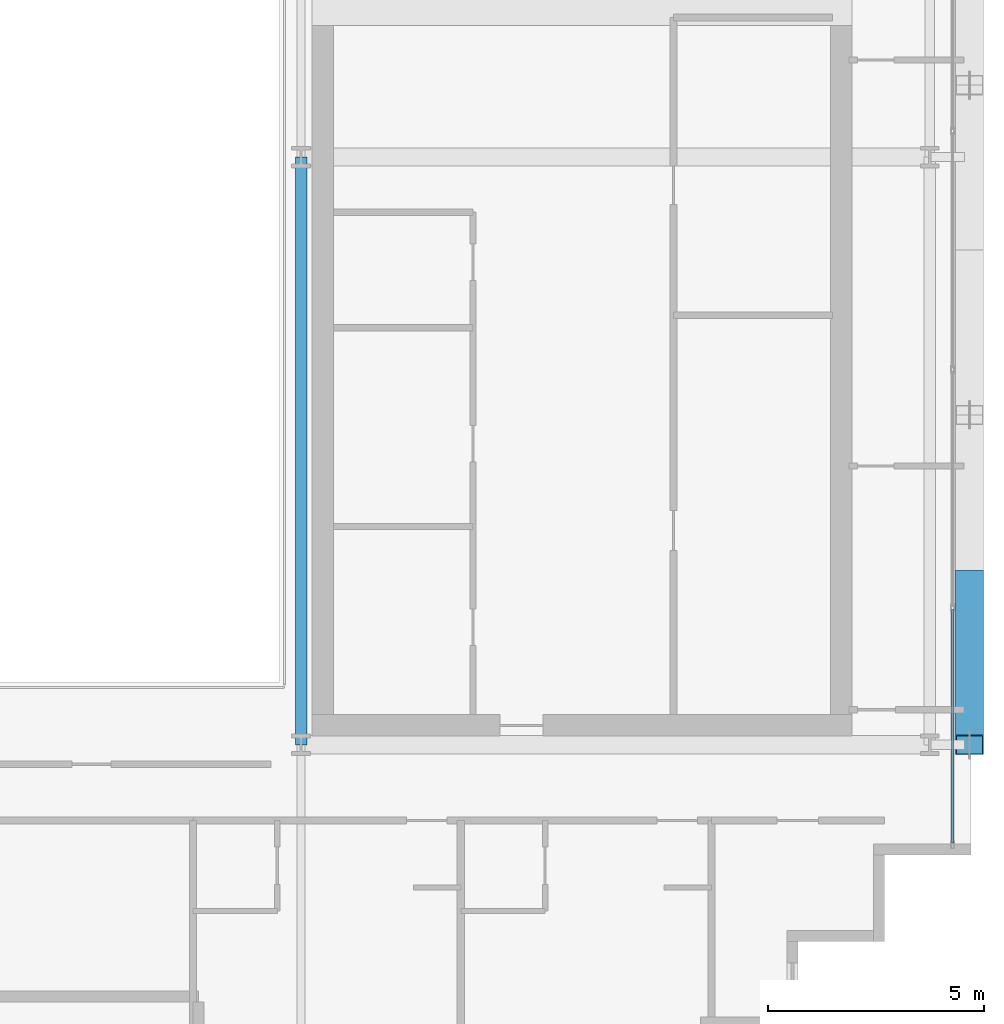
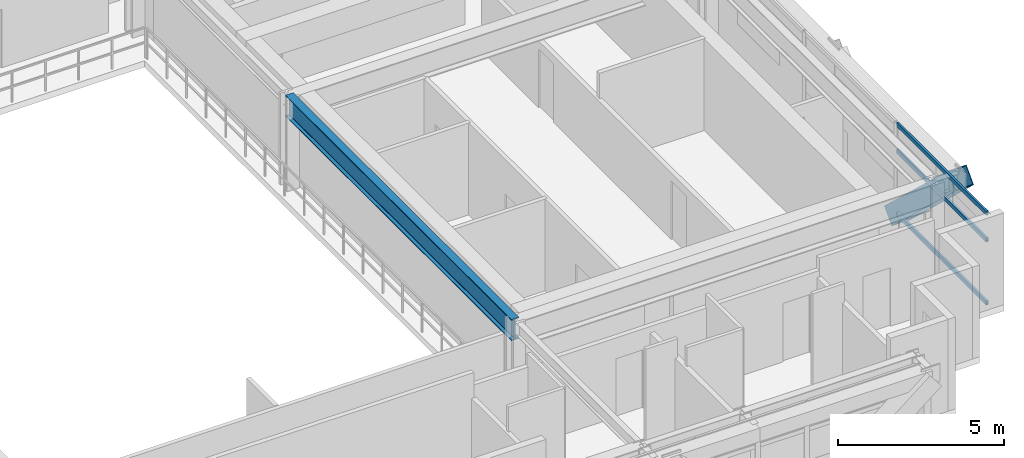
# One storey, part 11 of 32: 4 members, 1 beam, 1 element without a shape of its own.
"""IFC4 building model written with IfcOpenShell, lengths in metres."""

from ifc_helpers import new_model, si_unit, direction, frame, origin, origin_2d, place, context, subcontext, project, spatial, hollow_rectangle, i_section, extrude, source, transform, mapped, material, layer, layer_set, material_profile, profile_set, type_object, element, aggregate, save


model = new_model("IFC4")

# Units and contexts
model_context = context("Model", 3, precision=1e-05, world=origin(), true_north=direction((0.0, 1.0)))
body_context = subcontext(model_context, "Body", "Model", "MODEL_VIEW")
ifc_project = project(units=[si_unit("LENGTHUNIT", "METRE"), si_unit("AREAUNIT", "SQUARE_METRE"), si_unit("VOLUMEUNIT", "CUBIC_METRE"), si_unit("PLANEANGLEUNIT", "RADIAN"), si_unit("MASSUNIT", "GRAM", prefix="KILO")], contexts=[model_context])

# Site, building, storey
site_placement = place(None, origin())
site = spatial("IfcSite", under=ifc_project, at=site_placement, CompositionType="ELEMENT")
building_placement = place(site_placement, origin())
building = spatial("IfcBuilding", under=site, at=building_placement, Name="Ocotamira Hotel", CompositionType="ELEMENT")
storey_placement = place(building_placement, frame((0.0, 0.0, 177.60009765625)))
storey = spatial("IfcBuildingStorey", under=building, at=storey_placement, Name="L44", CompositionType="ELEMENT", Elevation=177.60009765625)

# Beam
ifc_material_1 = material(Name="Steel ASTM A992 Grade 50", Category="steel")
ifc_material_profile_1 = material_profile(ifc_material_1, i_section(OverallWidth=0.26611328125, OverallDepth=0.779052734375, WebThickness=0.0166015625, FlangeThickness=0.030029296875, FilletRadius=0.01806640625, at=origin_2d()), Name="W30X148")
ifc_profile_set_1 = profile_set([ifc_material_profile_1], Name="Steel ASTM A992 Grade 50")
beam_type = type_object("IfcBeamType", Name="BM-GIRD-W30X148", PredefinedType="BEAM", material=ifc_profile_set_1)
shared_shape_1 = source(origin(), body_context, "Body", "SweptSolid", [
    extrude(i_section(OverallWidth=0.26611328125, OverallDepth=0.779052734375, WebThickness=0.0166015625, FlangeThickness=0.030029296875, FilletRadius=0.01806640625, at=origin_2d()), origin(), (0.0, 0.0, 1.0), 13.599853515625),
])
beam_placement = place(storey_placement, frame((40.5, 14.550048828125, 2.98046875), z_axis=(0.0, 1.0, 0.0), x_axis=(-1.0, 0.0, 0.0)))
element("IfcBeam", 1, at=beam_placement, inside=storey, type_object=beam_type, Name="L44 Beam X40.5 Y14.55-28.15", PredefinedType="BEAM", context=body_context, shape_type="MappedRepresentation", body=[
    mapped(shared_shape_1, transform((0.0, 0.0, 0.0), scale=1.0)),
])

# Member
ifc_material_2 = material(Name="Pale-metal coated steel ASTM A913 Grade 65", Category="steel")
ifc_material_profile_2 = material_profile(ifc_material_2, hollow_rectangle(XDim=0.64990234375, YDim=0.64990234375, WallThickness=0.02197265625, at=origin_2d()), Name="BOX650X650X22")
ifc_profile_set_2 = profile_set([ifc_material_profile_2], Name="Pale-metal coated steel ASTM A913 Grade 65")
member_type_1 = type_object("IfcMemberType", Name="MEM-EXO-BOX650", PredefinedType="BRACE", material=ifc_profile_set_2)
shared_shape_2 = source(origin(), body_context, "Body", "SweptSolid", [
    extrude(hollow_rectangle(XDim=0.64990234375, YDim=0.64990234375, WallThickness=0.02197265625, at=origin_2d()), origin(), (0.0, 0.0, 1.0), 5.24658203125),
])
member_1_placement = place(storey_placement, frame((55.969970703125, 18.36669921875, -0.47998046875), z_axis=(0.0, -0.72746596067, 0.686143772154), x_axis=(1.0, 0.0, 0.0)))
element("IfcMember", 2, at=member_1_placement, inside=storey, type_object=member_type_1, Name="L44 Exoskeleton Diagrid E0.1", PredefinedType="BRACE", context=body_context, shape_type="MappedRepresentation", body=[
    mapped(shared_shape_2, transform((0.0, 0.0, 0.0), scale=1.0)),
])

# Curtain wall, members
ifc_material_3 = material(Name="Anodised pale-metal aluminium and solar glass", Category="aluminium")
ifc_layer = layer(ifc_material_3, 0.199951171875)
ifc_layer_set = layer_set([ifc_layer], Name="Anodised pale-metal aluminium and solar glass")
curtain_wall_type = type_object("IfcCurtainWallType", Name="CW-SYS4-Z3", PredefinedType="NOTDEFINED", material=ifc_layer_set)
curtain_wall_placement = place(storey_placement, origin())
curtain_wall = element("IfcCurtainWall", 3, at=curtain_wall_placement, inside=storey, type_object=curtain_wall_type, Name="L44 Curtain Wall CW-4 CW-L44-E", PredefinedType="NOTDEFINED")
ifc_material_4 = material(Name="Anodised pale-metal aluminium 6063-T6", Category="aluminium")
ifc_material_profile_3 = material_profile(ifc_material_4, hollow_rectangle(XDim=0.074951171875, YDim=0.14990234375, WallThickness=0.006103515625, at=origin_2d()), Name="HSS150X75X6")
ifc_profile_set_3 = profile_set([ifc_material_profile_3], Name="Anodised pale-metal aluminium 6063-T6")
member_type_2 = type_object("IfcMemberType", Name="CWT-150X75", PredefinedType="USERDEFINED", material=ifc_profile_set_3)
shared_shape_3 = source(origin(), body_context, "Body", "SweptSolid", [
    extrude(hollow_rectangle(XDim=0.074951171875, YDim=0.14990234375, WallThickness=0.006103515625, at=origin_2d()), origin(), (0.0, 0.0, 1.0), 5.39990234375),
])
member_2_placement = place(storey_placement, frame((55.580078125, 12.280029296875, 0.037353515625), z_axis=(0.0, 1.0, 0.0), x_axis=(-1.0, 0.0, 0.0)))
member_2 = element("IfcMember", 4, at=member_2_placement, type_object=member_type_2, Name="CW-4 transom 1.1", ObjectType="TRANSOM", PredefinedType="USERDEFINED", context=body_context, shape_type="MappedRepresentation", body=[
    mapped(shared_shape_3, transform((0.0, 0.0, 0.0), scale=1.0)),
])
member_3_placement = place(storey_placement, frame((55.580078125, 12.280029296875, 2.349853515625), z_axis=(0.0, 1.0, 0.0), x_axis=(-1.0, 0.0, 0.0)))
member_3 = element("IfcMember", 5, at=member_3_placement, type_object=member_type_2, Name="CW-4 transom 1.2", ObjectType="TRANSOM", PredefinedType="USERDEFINED", context=body_context, shape_type="MappedRepresentation", body=[
    mapped(shared_shape_3, transform((0.0, 0.0, 0.0), scale=1.0)),
])
member_4_placement = place(storey_placement, frame((55.580078125, 12.280029296875, 3.33251953125), z_axis=(0.0, 1.0, 0.0), x_axis=(-1.0, 0.0, 0.0)))
member_4 = element("IfcMember", 6, at=member_4_placement, type_object=member_type_2, Name="CW-4 transom 1.3", ObjectType="TRANSOM", PredefinedType="USERDEFINED", context=body_context, shape_type="MappedRepresentation", body=[
    mapped(shared_shape_3, transform((0.0, 0.0, 0.0), scale=1.0)),
])
aggregate(curtain_wall, [member_2, member_3, member_4])

save(model, "model.ifc")
